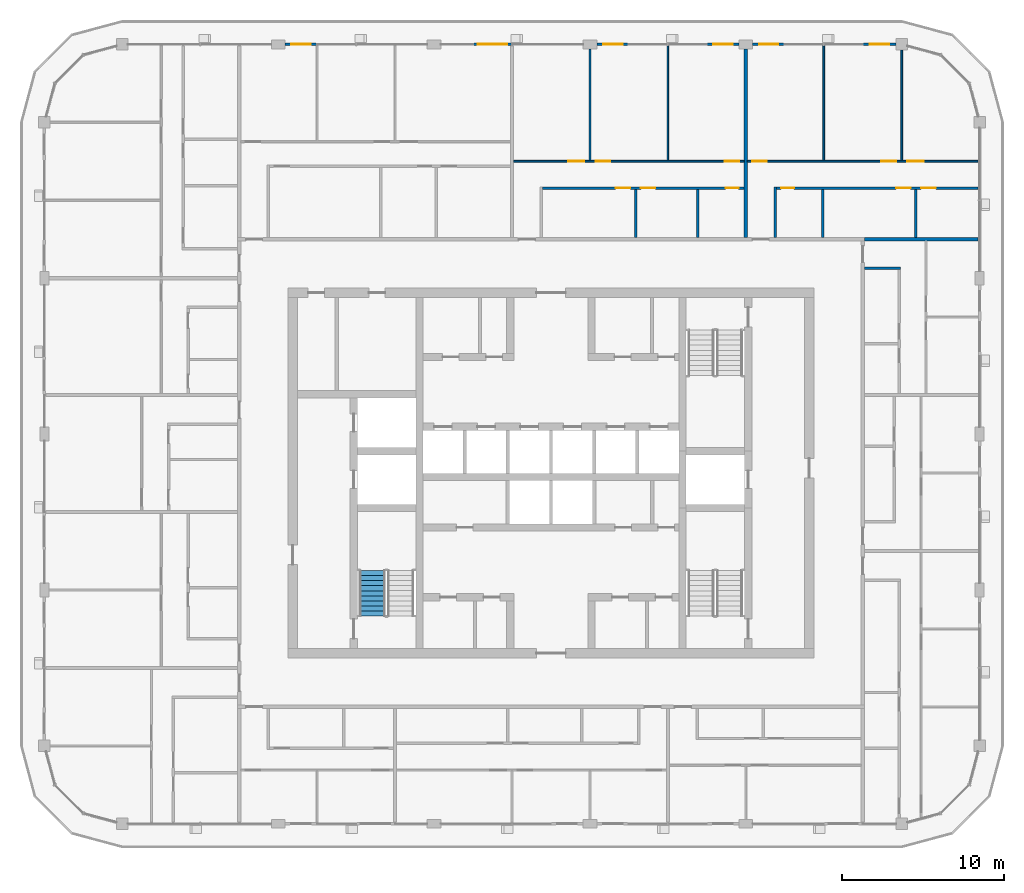
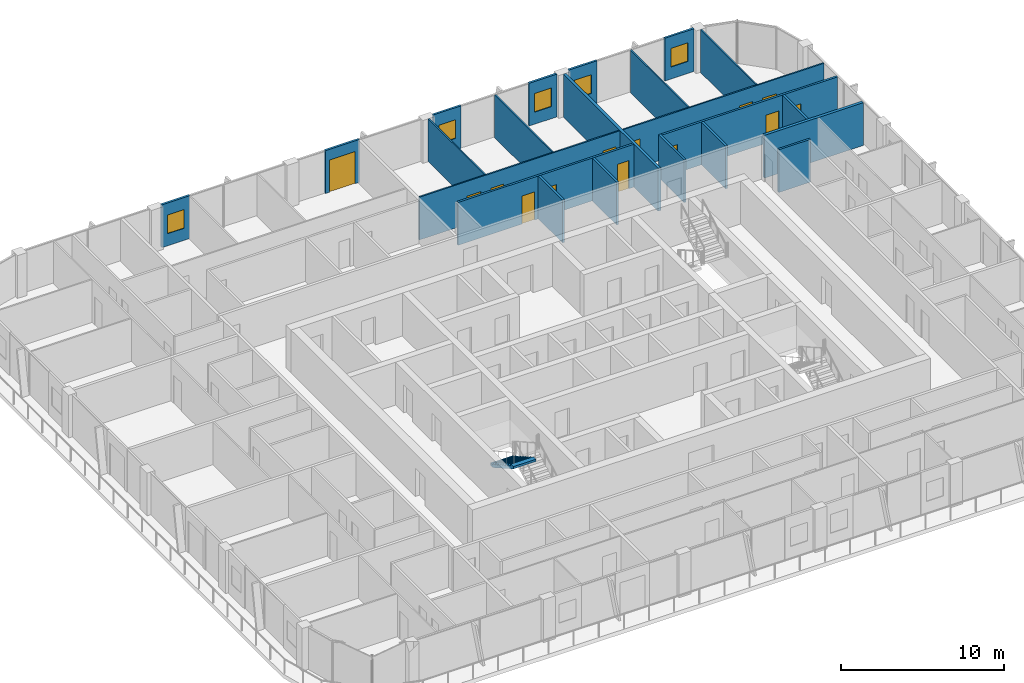
# One storey, part 15 of 22: 22 walls, 13 doors, 5 windows, 1 stair flight, 18 openings, 1 element without a shape of its own.
"""IFC4 building model written with IfcOpenShell, lengths in metres."""

from ifc_helpers import new_model, si_unit, direction, frame, frame_2d, origin, place, context, subcontext, project, spatial, polyline, rectangle, outline, extrude, material, layer, layer_set, type_object, element, fill, aggregate, save


model = new_model("IFC4")

# Units and contexts
model_context = context("Model", 3, precision=1e-05, world=origin(), true_north=direction((0.0, 1.0)))
body_context = subcontext(model_context, "Body", "Model", "MODEL_VIEW")
ifc_project = project(units=[si_unit("LENGTHUNIT", "METRE"), si_unit("AREAUNIT", "SQUARE_METRE"), si_unit("VOLUMEUNIT", "CUBIC_METRE"), si_unit("PLANEANGLEUNIT", "RADIAN"), si_unit("MASSUNIT", "GRAM", prefix="KILO")], contexts=[model_context])

# Site, building, storey
site_placement = place(None, origin())
site = spatial("IfcSite", under=ifc_project, at=site_placement, CompositionType="ELEMENT")
building_placement = place(site_placement, origin())
building = spatial("IfcBuilding", under=site, at=building_placement, Name="Madar Terraces", CompositionType="ELEMENT")
storey_placement = place(building_placement, frame((0.0, 0.0, 249.199951171875)))
storey = spatial("IfcBuildingStorey", under=building, at=storey_placement, Name="L65", CompositionType="ELEMENT", Elevation=249.199951171875)

# Wall, opening, window
ifc_material_1 = material(Name="Aluminium composite panel, black, over insulated backing", Category="aluminium")
ifc_layer_1 = layer(ifc_material_1, 0.14990234375)
ifc_layer_set_1 = layer_set([ifc_layer_1], Name="Facade bay panel 150")
wall_type_1 = type_object("IfcWallType", Name="Facade bay panel 150", PredefinedType="SOLIDWALL", material=ifc_layer_set_1)
wall_1_placement = place(storey_placement, frame((52.449951171875, 52.800048828125, 0.0), z_axis=(0.0, 0.0, 1.0), x_axis=(-1.0, 0.0, 0.0)))
wall_1 = element("IfcWall", 1, at=wall_1_placement, inside=storey, type_object=wall_type_1, Name="Facade bay panel", PredefinedType="SOLIDWALL", context=body_context, shape_type="SweptSolid", body=[
    extrude(rectangle(XDim=2.050048828125, YDim=0.14990234375, at=frame_2d((1.02490234375, 0.0))), origin(), (0.0, 0.0, 1.0), 3.199951171875),
])
opening_1_placement = place(wall_1_placement, frame((0.425048828125, 0.0, 0.89990234375)))
opening_1 = element("IfcOpeningElement", 2, at=opening_1_placement, cuts=wall_1, Name="Opening W1", PredefinedType="OPENING", context=body_context, shape_type="SweptSolid", body=[
    extrude(rectangle(XDim=1.199951171875, YDim=1.39990234375, at=frame_2d((0.60009765625, 0.699951171875))), frame((0.0, 0.0849609375, 0.0), z_axis=(0.0, -1.0, 0.0), x_axis=(1.0, 0.0, 0.0)), (0.0, 0.0, 1.0), 0.169921875),
])
ifc_material_2 = material(Name="Glass, clear, with black aluminium frame", Category="aluminium")
window_type = type_object("IfcWindowType", Name="Vent window 1200 x 1400", PartitioningType="SINGLE_PANEL", PredefinedType="WINDOW", material=ifc_material_2)
window_1_placement = place(opening_1_placement, origin())
window_1 = element("IfcWindow", 3, at=window_1_placement, inside=storey, type_object=window_type, Name="Operable vent window", OverallHeight=1.39990234375, OverallWidth=1.199951171875, PartitioningType="SINGLE_PANEL", PredefinedType="WINDOW", context=body_context, shape_type="SweptSolid", body=[
    extrude(rectangle(XDim=1.199951171875, YDim=1.39990234375, at=frame_2d((0.60009765625, 0.699951171875))), frame((0.0, 0.030029296875, 0.0), z_axis=(0.0, -1.0, 0.0), x_axis=(1.0, 0.0, 0.0)), (0.0, 0.0, 1.0), 0.06005859375),
])
fill(opening_1, window_1)

wall_2_placement = place(storey_placement, frame((45.60009765625, 52.800048828125, 0.0), z_axis=(0.0, 0.0, 1.0), x_axis=(-1.0, 0.0, 0.0)))
wall_2 = element("IfcWall", 4, at=wall_2_placement, inside=storey, type_object=wall_type_1, Name="Facade bay panel", PredefinedType="SOLIDWALL", context=body_context, shape_type="SweptSolid", body=[
    extrude(rectangle(XDim=1.97509765625, YDim=0.14990234375, at=frame_2d((0.987548828125, 0.0))), origin(), (0.0, 0.0, 1.0), 3.199951171875),
])
opening_2_placement = place(wall_2_placement, frame((0.387451171875, 0.0, 0.89990234375)))
opening_2 = element("IfcOpeningElement", 5, at=opening_2_placement, cuts=wall_2, Name="Opening W1", PredefinedType="OPENING", context=body_context, shape_type="SweptSolid", body=[
    extrude(rectangle(XDim=1.199951171875, YDim=1.39990234375, at=frame_2d((0.60009765625, 0.699951171875))), frame((0.0, 0.0849609375, 0.0), z_axis=(0.0, -1.0, 0.0), x_axis=(1.0, 0.0, 0.0)), (0.0, 0.0, 1.0), 0.169921875),
])
window_2_placement = place(opening_2_placement, origin())
window_2 = element("IfcWindow", 6, at=window_2_placement, inside=storey, type_object=window_type, Name="Operable vent window", OverallHeight=1.39990234375, OverallWidth=1.199951171875, PartitioningType="SINGLE_PANEL", PredefinedType="WINDOW", context=body_context, shape_type="SweptSolid", body=[
    extrude(rectangle(XDim=1.199951171875, YDim=1.39990234375, at=frame_2d((0.60009765625, 0.699951171875))), frame((0.0, 0.030029296875, 0.0), z_axis=(0.0, -1.0, 0.0), x_axis=(1.0, 0.0, 0.0)), (0.0, 0.0, 1.0), 0.06005859375),
])
fill(opening_2, window_2)

wall_3_placement = place(storey_placement, frame((42.77490234375, 52.800048828125, 0.0), z_axis=(0.0, 0.0, 1.0), x_axis=(-1.0, 0.0, 0.0)))
wall_3 = element("IfcWall", 7, at=wall_3_placement, inside=storey, type_object=wall_type_1, Name="Facade bay panel", PredefinedType="SOLIDWALL", context=body_context, shape_type="SweptSolid", body=[
    extrude(rectangle(XDim=1.974853515625, YDim=0.14990234375, at=frame_2d((0.9873046875, 0.0))), origin(), (0.0, 0.0, 1.0), 3.199951171875),
])
opening_3_placement = place(wall_3_placement, frame((0.387451171875, 0.0, 0.89990234375)))
opening_3 = element("IfcOpeningElement", 8, at=opening_3_placement, cuts=wall_3, Name="Opening W1", PredefinedType="OPENING", context=body_context, shape_type="SweptSolid", body=[
    extrude(rectangle(XDim=1.199951171875, YDim=1.39990234375, at=frame_2d((0.60009765625, 0.699951171875))), frame((0.0, 0.0849609375, 0.0), z_axis=(0.0, -1.0, 0.0), x_axis=(1.0, 0.0, 0.0)), (0.0, 0.0, 1.0), 0.169921875),
])
window_3_placement = place(opening_3_placement, origin())
window_3 = element("IfcWindow", 9, at=window_3_placement, inside=storey, type_object=window_type, Name="Operable vent window", OverallHeight=1.39990234375, OverallWidth=1.199951171875, PartitioningType="SINGLE_PANEL", PredefinedType="WINDOW", context=body_context, shape_type="SweptSolid", body=[
    extrude(rectangle(XDim=1.199951171875, YDim=1.39990234375, at=frame_2d((0.60009765625, 0.699951171875))), frame((0.0, 0.030029296875, 0.0), z_axis=(0.0, -1.0, 0.0), x_axis=(1.0, 0.0, 0.0)), (0.0, 0.0, 1.0), 0.06005859375),
])
fill(opening_3, window_3)

wall_4_placement = place(storey_placement, frame((36.0, 52.800048828125, 0.0), z_axis=(0.0, 0.0, 1.0), x_axis=(-1.0, 0.0, 0.0)))
wall_4 = element("IfcWall", 10, at=wall_4_placement, inside=storey, type_object=wall_type_1, Name="Facade bay panel", PredefinedType="SOLIDWALL", context=body_context, shape_type="SweptSolid", body=[
    extrude(rectangle(XDim=1.97509765625, YDim=0.14990234375, at=frame_2d((0.987548828125, 0.0))), origin(), (0.0, 0.0, 1.0), 3.199951171875),
])
opening_4_placement = place(wall_4_placement, frame((0.387451171875, 0.0, 0.89990234375)))
opening_4 = element("IfcOpeningElement", 11, at=opening_4_placement, cuts=wall_4, Name="Opening W1", PredefinedType="OPENING", context=body_context, shape_type="SweptSolid", body=[
    extrude(rectangle(XDim=1.199951171875, YDim=1.39990234375, at=frame_2d((0.60009765625, 0.699951171875))), frame((0.0, 0.0849609375, 0.0), z_axis=(0.0, -1.0, 0.0), x_axis=(1.0, 0.0, 0.0)), (0.0, 0.0, 1.0), 0.169921875),
])
window_4_placement = place(opening_4_placement, origin())
window_4 = element("IfcWindow", 12, at=window_4_placement, inside=storey, type_object=window_type, Name="Operable vent window", OverallHeight=1.39990234375, OverallWidth=1.199951171875, PartitioningType="SINGLE_PANEL", PredefinedType="WINDOW", context=body_context, shape_type="SweptSolid", body=[
    extrude(rectangle(XDim=1.199951171875, YDim=1.39990234375, at=frame_2d((0.60009765625, 0.699951171875))), frame((0.0, 0.030029296875, 0.0), z_axis=(0.0, -1.0, 0.0), x_axis=(1.0, 0.0, 0.0)), (0.0, 0.0, 1.0), 0.06005859375),
])
fill(opening_4, window_4)

# Wall, opening, door
wall_5_placement = place(storey_placement, frame((28.800048828125, 52.800048828125, 0.0), z_axis=(0.0, 0.0, 1.0), x_axis=(-1.0, 0.0, 0.0)))
wall_5 = element("IfcWall", 13, at=wall_5_placement, inside=storey, type_object=wall_type_1, Name="Facade bay panel", PredefinedType="SOLIDWALL", context=body_context, shape_type="SweptSolid", body=[
    extrude(rectangle(XDim=2.400146484375, YDim=0.14990234375, at=frame_2d((1.2001953125, 0.0))), origin(), (0.0, 0.0, 1.0), 3.199951171875),
])
opening_5_placement = place(wall_5_placement, frame((0.300048828125, 0.0, 0.0)))
opening_5 = element("IfcOpeningElement", 14, at=opening_5_placement, cuts=wall_5, Name="Opening ED1", PredefinedType="OPENING", context=body_context, shape_type="SweptSolid", body=[
    extrude(rectangle(XDim=1.800048828125, YDim=2.39990234375, at=frame_2d((0.89990234375, 1.199951171875))), frame((0.0, 0.0849609375, 0.0), z_axis=(0.0, -1.0, 0.0), x_axis=(1.0, 0.0, 0.0)), (0.0, 0.0, 1.0), 0.169921875),
])
ifc_material_3 = material(Name="Glass, clear, with black aluminium frame", Category="aluminium")
door_type_1 = type_object("IfcDoorType", Name="Balcony and terrace sliding door 1800 x 2400", OperationType="SLIDING_TO_LEFT", PredefinedType="DOOR", material=ifc_material_3)
door_1_placement = place(opening_5_placement, origin())
door_1 = element("IfcDoor", 15, at=door_1_placement, inside=storey, type_object=door_type_1, Name="Balcony door", OperationType="SLIDING_TO_LEFT", OverallHeight=2.39990234375, OverallWidth=1.800048828125, PredefinedType="DOOR", context=body_context, shape_type="SweptSolid", body=[
    extrude(rectangle(XDim=1.800048828125, YDim=2.39990234375, at=frame_2d((0.89990234375, 1.199951171875))), frame((0.0, 0.02490234375, 0.0), z_axis=(0.0, -1.0, 0.0), x_axis=(1.0, 0.0, 0.0)), (0.0, 0.0, 1.0), 0.050048828125),
])
fill(opening_5, door_1)

# Wall, opening, window
wall_6_placement = place(storey_placement, frame((16.800048828125, 52.800048828125, 0.0), z_axis=(0.0, 0.0, 1.0), x_axis=(-1.0, 0.0, 0.0)))
wall_6 = element("IfcWall", 16, at=wall_6_placement, inside=storey, type_object=wall_type_1, Name="Facade bay panel", PredefinedType="SOLIDWALL", context=body_context, shape_type="SweptSolid", body=[
    extrude(rectangle(XDim=1.97509765625, YDim=0.14990234375, at=frame_2d((0.987548828125, 0.0))), origin(), (0.0, 0.0, 1.0), 3.199951171875),
])
opening_6_placement = place(wall_6_placement, frame((0.387451171875, 0.0, 0.89990234375)))
opening_6 = element("IfcOpeningElement", 17, at=opening_6_placement, cuts=wall_6, Name="Opening W1", PredefinedType="OPENING", context=body_context, shape_type="SweptSolid", body=[
    extrude(rectangle(XDim=1.199951171875, YDim=1.39990234375, at=frame_2d((0.60009765625, 0.699951171875))), frame((0.0, 0.0849609375, 0.0), z_axis=(0.0, -1.0, 0.0), x_axis=(1.0, 0.0, 0.0)), (0.0, 0.0, 1.0), 0.169921875),
])
window_5_placement = place(opening_6_placement, origin())
window_5 = element("IfcWindow", 18, at=window_5_placement, inside=storey, type_object=window_type, Name="Operable vent window", OverallHeight=1.39990234375, OverallWidth=1.199951171875, PartitioningType="SINGLE_PANEL", PredefinedType="WINDOW", context=body_context, shape_type="SweptSolid", body=[
    extrude(rectangle(XDim=1.199951171875, YDim=1.39990234375, at=frame_2d((0.60009765625, 0.699951171875))), frame((0.0, 0.030029296875, 0.0), z_axis=(0.0, -1.0, 0.0), x_axis=(1.0, 0.0, 0.0)), (0.0, 0.0, 1.0), 0.06005859375),
])
fill(opening_6, window_5)

# Walls
ifc_material_4 = material(Name="Gypsum board on steel studs", Category="steel")
ifc_layer_2 = layer(ifc_material_4, 0.10009765625)
ifc_layer_set_2 = layer_set([ifc_layer_2], Name="Flat partition 100")
wall_type_2 = type_object("IfcWallType", Name="Flat partition 100", PredefinedType="PARTITIONING", material=ifc_layer_set_2)
wall_7_placement = place(storey_placement, frame((48.0, 45.64990234375, 0.0), z_axis=(0.0, 0.0, 1.0), x_axis=(0.0, 1.0, 0.0)))
element("IfcWall", 19, at=wall_7_placement, inside=storey, type_object=wall_type_2, Name="Flat partition 100", PredefinedType="PARTITIONING", context=body_context, shape_type="SweptSolid", body=[
    extrude(rectangle(XDim=7.050048828125, YDim=0.10009765625, at=frame_2d((3.52490234375, 0.0))), origin(), (0.0, 0.0, 1.0), 3.199951171875),
])
wall_8_placement = place(storey_placement, frame((52.800048828125, 45.64990234375, 0.0), z_axis=(0.0, 0.0, 1.0), x_axis=(0.0, 1.0, 0.0)))
element("IfcWall", 20, at=wall_8_placement, inside=storey, type_object=wall_type_2, Name="Flat partition 100", PredefinedType="PARTITIONING", context=body_context, shape_type="SweptSolid", body=[
    extrude(rectangle(XDim=6.800048828125, YDim=0.10009765625, at=frame_2d((3.39990234375, 0.0))), origin(), (0.0, 0.0, 1.0), 3.199951171875),
])

# Wall, openings, doors
wall_9_placement = place(storey_placement, frame((43.300048828125, 45.60009765625, 0.0), z_axis=(0.0, 0.0, 1.0), x_axis=(1.0, 0.0, 0.0)))
wall_9 = element("IfcWall", 21, at=wall_9_placement, inside=storey, type_object=wall_type_2, Name="Flat partition 100", PredefinedType="PARTITIONING", context=body_context, shape_type="SweptSolid", body=[
    extrude(rectangle(XDim=14.199951171875, YDim=0.10009765625, at=frame_2d((7.10009765625, 0.0))), origin(), (0.0, 0.0, 1.0), 3.199951171875),
])
opening_7_placement = place(wall_9_placement, frame((0.300048828125, 0.0, 0.0)))
opening_7 = element("IfcOpeningElement", 22, at=opening_7_placement, cuts=wall_9, Name="Opening D2", PredefinedType="OPENING", context=body_context, shape_type="SweptSolid", body=[
    extrude(rectangle(XDim=0.89990234375, YDim=2.10009765625, at=frame_2d((0.449951171875, 1.050048828125))), frame((0.0, 0.06005859375, 0.0), z_axis=(0.0, -1.0, 0.0), x_axis=(1.0, 0.0, 0.0)), (0.0, 0.0, 1.0), 0.1201171875),
])
opening_8_placement = place(wall_9_placement, frame((8.25, 0.0, 0.0)))
opening_8 = element("IfcOpeningElement", 23, at=opening_8_placement, cuts=wall_9, Name="Opening D2", PredefinedType="OPENING", context=body_context, shape_type="SweptSolid", body=[
    extrude(rectangle(XDim=0.89990234375, YDim=2.10009765625, at=frame_2d((0.449951171875, 1.050048828125))), frame((0.0, 0.06005859375, 0.0), z_axis=(0.0, -1.0, 0.0), x_axis=(1.0, 0.0, 0.0)), (0.0, 0.0, 1.0), 0.1201171875),
])
opening_9_placement = place(wall_9_placement, frame((9.85009765625, 0.0, 0.0)))
opening_9 = element("IfcOpeningElement", 24, at=opening_9_placement, cuts=wall_9, Name="Opening D3", PredefinedType="OPENING", context=body_context, shape_type="SweptSolid", body=[
    extrude(rectangle(XDim=1.0, YDim=2.10009765625, at=frame_2d((0.5, 1.050048828125))), frame((0.0, 0.06005859375, 0.0), z_axis=(0.0, -1.0, 0.0), x_axis=(1.0, 0.0, 0.0)), (0.0, 0.0, 1.0), 0.1201171875),
])
ifc_material_5 = material(Name="Timber door leaf", Category="wood")
door_type_2 = type_object("IfcDoorType", Name="Flat living room door 1000", OperationType="NOTDEFINED", PredefinedType="DOOR", material=ifc_material_5)
door_2_placement = place(opening_9_placement, origin())
door_2 = element("IfcDoor", 25, at=door_2_placement, inside=storey, type_object=door_type_2, Name="Flat living room door 1000", OperationType="SINGLE_SWING_LEFT", OverallHeight=2.10009765625, OverallWidth=1.0, PredefinedType="DOOR", context=body_context, shape_type="SweptSolid", body=[
    extrude(rectangle(XDim=1.0, YDim=2.10009765625, at=frame_2d((0.5, 1.050048828125))), frame((0.0, 0.02490234375, 0.0), z_axis=(0.0, -1.0, 0.0), x_axis=(1.0, 0.0, 0.0)), (0.0, 0.0, 1.0), 0.050048828125),
])
fill(opening_9, door_2)
ifc_material_6 = material(Name="Timber door leaf", Category="wood")
door_type_3 = type_object("IfcDoorType", Name="Flat room door 900", OperationType="NOTDEFINED", PredefinedType="DOOR", material=ifc_material_6)
door_3_placement = place(opening_7_placement, origin())
door_3 = element("IfcDoor", 26, at=door_3_placement, inside=storey, type_object=door_type_3, Name="Flat room door 900", OperationType="SINGLE_SWING_LEFT", OverallHeight=2.10009765625, OverallWidth=0.89990234375, PredefinedType="DOOR", context=body_context, shape_type="SweptSolid", body=[
    extrude(rectangle(XDim=0.89990234375, YDim=2.10009765625, at=frame_2d((0.449951171875, 1.050048828125))), frame((0.0, 0.02490234375, 0.0), z_axis=(0.0, -1.0, 0.0), x_axis=(1.0, 0.0, 0.0)), (0.0, 0.0, 1.0), 0.050048828125),
])
fill(opening_7, door_3)
door_4_placement = place(opening_8_placement, origin())
door_4 = element("IfcDoor", 27, at=door_4_placement, inside=storey, type_object=door_type_3, Name="Flat room door 900", OperationType="SINGLE_SWING_RIGHT", OverallHeight=2.10009765625, OverallWidth=0.89990234375, PredefinedType="DOOR", context=body_context, shape_type="SweptSolid", body=[
    extrude(rectangle(XDim=0.89990234375, YDim=2.10009765625, at=frame_2d((0.449951171875, 1.050048828125))), frame((0.0, 0.02490234375, 0.0), z_axis=(0.0, -1.0, 0.0), x_axis=(1.0, 0.0, 0.0)), (0.0, 0.0, 1.0), 0.050048828125),
])
fill(opening_8, door_4)

# Walls
wall_10_placement = place(storey_placement, frame((33.60009765625, 45.64990234375, 0.0), z_axis=(0.0, 0.0, 1.0), x_axis=(0.0, 1.0, 0.0)))
element("IfcWall", 28, at=wall_10_placement, inside=storey, type_object=wall_type_2, Name="Flat partition 100", PredefinedType="PARTITIONING", context=body_context, shape_type="SweptSolid", body=[
    extrude(rectangle(XDim=6.875, YDim=0.10009765625, at=frame_2d((3.4375, 0.0))), origin(), (0.0, 0.0, 1.0), 3.199951171875),
])
wall_11_placement = place(storey_placement, frame((38.39990234375, 45.64990234375, 0.0), z_axis=(0.0, 0.0, 1.0), x_axis=(0.0, 1.0, 0.0)))
element("IfcWall", 29, at=wall_11_placement, inside=storey, type_object=wall_type_2, Name="Flat partition 100", PredefinedType="PARTITIONING", context=body_context, shape_type="SweptSolid", body=[
    extrude(rectangle(XDim=7.050048828125, YDim=0.10009765625, at=frame_2d((3.52490234375, 0.0))), origin(), (0.0, 0.0, 1.0), 3.199951171875),
])

# Wall, openings, doors
wall_12_placement = place(storey_placement, frame((28.89990234375, 45.60009765625, 0.0), z_axis=(0.0, 0.0, 1.0), x_axis=(1.0, 0.0, 0.0)))
wall_12 = element("IfcWall", 30, at=wall_12_placement, inside=storey, type_object=wall_type_2, Name="Flat partition 100", PredefinedType="PARTITIONING", context=body_context, shape_type="SweptSolid", body=[
    extrude(rectangle(XDim=14.2001953125, YDim=0.10009765625, at=frame_2d((7.10009765625, 0.0))), origin(), (0.0, 0.0, 1.0), 3.199951171875),
])
opening_10_placement = place(wall_12_placement, frame((3.35009765625, 0.0, 0.0)))
opening_10 = element("IfcOpeningElement", 31, at=opening_10_placement, cuts=wall_12, Name="Opening D3", PredefinedType="OPENING", context=body_context, shape_type="SweptSolid", body=[
    extrude(rectangle(XDim=1.0, YDim=2.10009765625, at=frame_2d((0.5, 1.050048828125))), frame((0.0, 0.06005859375, 0.0), z_axis=(0.0, -1.0, 0.0), x_axis=(1.0, 0.0, 0.0)), (0.0, 0.0, 1.0), 0.1201171875),
])
opening_11_placement = place(wall_12_placement, frame((5.050048828125, 0.0, 0.0)))
opening_11 = element("IfcOpeningElement", 32, at=opening_11_placement, cuts=wall_12, Name="Opening D2", PredefinedType="OPENING", context=body_context, shape_type="SweptSolid", body=[
    extrude(rectangle(XDim=0.89990234375, YDim=2.10009765625, at=frame_2d((0.449951171875, 1.050048828125))), frame((0.0, 0.06005859375, 0.0), z_axis=(0.0, -1.0, 0.0), x_axis=(1.0, 0.0, 0.0)), (0.0, 0.0, 1.0), 0.1201171875),
])
opening_12_placement = place(wall_12_placement, frame((13.0, 0.0, 0.0)))
opening_12 = element("IfcOpeningElement", 33, at=opening_12_placement, cuts=wall_12, Name="Opening D2", PredefinedType="OPENING", context=body_context, shape_type="SweptSolid", body=[
    extrude(rectangle(XDim=0.89990234375, YDim=2.10009765625, at=frame_2d((0.449951171875, 1.050048828125))), frame((0.0, 0.06005859375, 0.0), z_axis=(0.0, -1.0, 0.0), x_axis=(1.0, 0.0, 0.0)), (0.0, 0.0, 1.0), 0.1201171875),
])
door_5_placement = place(opening_10_placement, origin())
door_5 = element("IfcDoor", 34, at=door_5_placement, inside=storey, type_object=door_type_2, Name="Flat living room door 1000", OperationType="SINGLE_SWING_RIGHT", OverallHeight=2.10009765625, OverallWidth=1.0, PredefinedType="DOOR", context=body_context, shape_type="SweptSolid", body=[
    extrude(rectangle(XDim=1.0, YDim=2.10009765625, at=frame_2d((0.5, 1.050048828125))), frame((0.0, 0.02490234375, 0.0), z_axis=(0.0, -1.0, 0.0), x_axis=(1.0, 0.0, 0.0)), (0.0, 0.0, 1.0), 0.050048828125),
])
fill(opening_10, door_5)
door_6_placement = place(opening_11_placement, origin())
door_6 = element("IfcDoor", 35, at=door_6_placement, inside=storey, type_object=door_type_3, Name="Flat room door 900", OperationType="SINGLE_SWING_LEFT", OverallHeight=2.10009765625, OverallWidth=0.89990234375, PredefinedType="DOOR", context=body_context, shape_type="SweptSolid", body=[
    extrude(rectangle(XDim=0.89990234375, YDim=2.10009765625, at=frame_2d((0.449951171875, 1.050048828125))), frame((0.0, 0.02490234375, 0.0), z_axis=(0.0, -1.0, 0.0), x_axis=(1.0, 0.0, 0.0)), (0.0, 0.0, 1.0), 0.050048828125),
])
fill(opening_11, door_6)
door_7_placement = place(opening_12_placement, origin())
door_7 = element("IfcDoor", 36, at=door_7_placement, inside=storey, type_object=door_type_3, Name="Flat room door 900", OperationType="SINGLE_SWING_RIGHT", OverallHeight=2.10009765625, OverallWidth=0.89990234375, PredefinedType="DOOR", context=body_context, shape_type="SweptSolid", body=[
    extrude(rectangle(XDim=0.89990234375, YDim=2.10009765625, at=frame_2d((0.449951171875, 1.050048828125))), frame((0.0, 0.02490234375, 0.0), z_axis=(0.0, -1.0, 0.0), x_axis=(1.0, 0.0, 0.0)), (0.0, 0.0, 1.0), 0.050048828125),
])
fill(opening_12, door_7)

# Walls
ifc_material_7 = material(Name="Lightweight blockwork", Category="masonry")
ifc_layer_3 = layer(ifc_material_7, 0.199951171875)
ifc_layer_set_3 = layer_set([ifc_layer_3], Name="Flat party and entrance wall 200")
wall_type_3 = type_object("IfcWallType", Name="Flat party and entrance wall 200", PredefinedType="PARTITIONING", material=ifc_layer_set_3)
wall_13_placement = place(storey_placement, frame((50.5, 40.800048828125, 0.0), z_axis=(0.0, 0.0, 1.0), x_axis=(1.0, 0.0, 0.0)))
element("IfcWall", 37, at=wall_13_placement, inside=storey, type_object=wall_type_3, Name="Flat party and entrance wall 200", PredefinedType="PARTITIONING", context=body_context, shape_type="SweptSolid", body=[
    extrude(rectangle(XDim=7.0, YDim=0.199951171875, at=frame_2d((3.5, 0.0))), origin(), (0.0, 0.0, 1.0), 3.199951171875),
])
wall_14_placement = place(storey_placement, frame((43.199951171875, 52.52490234375, 0.0), z_axis=(0.0, 0.0, 1.0), x_axis=(0.0, -1.0, 0.0)))
element("IfcWall", 38, at=wall_14_placement, inside=storey, type_object=wall_type_3, Name="Flat party and entrance wall 200", PredefinedType="PARTITIONING", context=body_context, shape_type="SweptSolid", body=[
    extrude(rectangle(XDim=11.625, YDim=0.199951171875, at=frame_2d((5.8125, 0.0))), origin(), (0.0, 0.0, 1.0), 3.199951171875),
])
ifc_material_8 = material(Name="Lightweight blockwork", Category="masonry")
ifc_layer_4 = layer(ifc_material_8, 0.14990234375)
ifc_layer_set_4 = layer_set([ifc_layer_4], Name="Flat wet-room partition 150")
wall_type_4 = type_object("IfcWallType", Name="Flat wet-room partition 150", PredefinedType="PARTITIONING", material=ifc_layer_set_4)
wall_15_placement = place(storey_placement, frame((50.5, 39.0, 0.0), z_axis=(0.0, 0.0, 1.0), x_axis=(1.0, 0.0, 0.0)))
element("IfcWall", 39, at=wall_15_placement, inside=storey, type_object=wall_type_4, Name="Flat wet-room partition 150", PredefinedType="PARTITIONING", context=body_context, shape_type="SweptSolid", body=[
    extrude(rectangle(XDim=2.22509765625, YDim=0.14990234375, at=frame_2d((1.112548828125, 0.0))), origin(), (0.0, 0.0, 1.0), 3.199951171875),
])
for number, where, z_axis, x_axis, name in (
    (40, (47.9423828125, 40.89990234375, 0.0), (0.0, 0.0, 1.0), (0.0, 1.0, 0.0), "Flat wet-room partition 150"),
    (41, (53.677001953125, 40.89990234375, 0.0), (0.0, 0.0, 1.0), (0.0, 1.0, 0.0), "Flat wet-room partition 150"),
):
    element("IfcWall", number, at=place(storey_placement, frame(where, z_axis=z_axis, x_axis=x_axis)), inside=storey, type_object=wall_type_4, Name=name, PredefinedType="PARTITIONING", context=body_context, shape_type="SweptSolid", body=[
        extrude(rectangle(XDim=2.97509765625, YDim=0.14990234375, at=frame_2d((1.487548828125, 0.0))), origin(), (0.0, 0.0, 1.0), 3.199951171875),
    ])
wall_16_placement = place(storey_placement, frame((45.0, 40.89990234375, 0.0), z_axis=(0.0, 0.0, 1.0), x_axis=(0.0, 1.0, 0.0)))
element("IfcWall", 42, at=wall_16_placement, inside=storey, type_object=wall_type_4, Name="Flat wet-room partition 150", PredefinedType="PARTITIONING", context=body_context, shape_type="SweptSolid", body=[
    extrude(rectangle(XDim=3.125, YDim=0.14990234375, at=frame_2d((1.5625, 0.0))), origin(), (0.0, 0.0, 1.0), 3.199951171875),
])

# Wall, openings, doors
wall_17_placement = place(storey_placement, frame((57.5, 43.949951171875, 0.0), z_axis=(0.0, 0.0, 1.0), x_axis=(-1.0, 0.0, 0.0)))
wall_17 = element("IfcWall", 43, at=wall_17_placement, inside=storey, type_object=wall_type_4, Name="Flat wet-room partition 150", PredefinedType="PARTITIONING", context=body_context, shape_type="SweptSolid", body=[
    extrude(rectangle(XDim=12.425048828125, YDim=0.14990234375, at=frame_2d((6.21240234375, 0.0))), origin(), (0.0, 0.0, 1.0), 3.199951171875),
])
opening_13_placement = place(wall_17_placement, frame((11.324951171875, 0.0, 0.0)))
opening_13 = element("IfcOpeningElement", 44, at=opening_13_placement, cuts=wall_17, Name="Opening D4", PredefinedType="OPENING", context=body_context, shape_type="SweptSolid", body=[
    extrude(rectangle(XDim=0.800048828125, YDim=2.10009765625, at=frame_2d((0.39990234375, 1.050048828125))), frame((0.0, 0.0849609375, 0.0), z_axis=(0.0, -1.0, 0.0), x_axis=(1.0, 0.0, 0.0)), (0.0, 0.0, 1.0), 0.169921875),
])
opening_14_placement = place(wall_17_placement, frame((4.148193359375, 0.0, 0.0)))
opening_14 = element("IfcOpeningElement", 45, at=opening_14_placement, cuts=wall_17, Name="Opening D2", PredefinedType="OPENING", context=body_context, shape_type="SweptSolid", body=[
    extrude(rectangle(XDim=0.89990234375, YDim=2.10009765625, at=frame_2d((0.449951171875, 1.050048828125))), frame((0.0, 0.0849609375, 0.0), z_axis=(0.0, -1.0, 0.0), x_axis=(1.0, 0.0, 0.0)), (0.0, 0.0, 1.0), 0.169921875),
])
opening_15_placement = place(wall_17_placement, frame((2.59814453125, 0.0, 0.0)))
opening_15 = element("IfcOpeningElement", 46, at=opening_15_placement, cuts=wall_17, Name="Opening D5", PredefinedType="OPENING", context=body_context, shape_type="SweptSolid", body=[
    extrude(rectangle(XDim=0.89990234375, YDim=2.10009765625, at=frame_2d((0.449951171875, 1.050048828125))), frame((0.0, 0.0849609375, 0.0), z_axis=(0.0, -1.0, 0.0), x_axis=(1.0, 0.0, 0.0)), (0.0, 0.0, 1.0), 0.169921875),
])
ifc_material_9 = material(Name="Timber door leaf", Category="wood")
door_type_4 = type_object("IfcDoorType", Name="Flat accessible bathroom door 900", OperationType="NOTDEFINED", PredefinedType="DOOR", material=ifc_material_9)
door_8_placement = place(opening_15_placement, origin())
door_8 = element("IfcDoor", 47, at=door_8_placement, inside=storey, type_object=door_type_4, Name="Flat accessible bathroom door 900", OperationType="SINGLE_SWING_RIGHT", OverallHeight=2.10009765625, OverallWidth=0.89990234375, PredefinedType="DOOR", context=body_context, shape_type="SweptSolid", body=[
    extrude(rectangle(XDim=0.89990234375, YDim=2.10009765625, at=frame_2d((0.449951171875, 1.050048828125))), frame((0.0, 0.02490234375, 0.0), z_axis=(0.0, -1.0, 0.0), x_axis=(1.0, 0.0, 0.0)), (0.0, 0.0, 1.0), 0.050048828125),
])
fill(opening_15, door_8)
ifc_material_10 = material(Name="Timber door leaf", Category="wood")
door_type_5 = type_object("IfcDoorType", Name="Flat bathroom door 800", OperationType="NOTDEFINED", PredefinedType="DOOR", material=ifc_material_10)
door_9_placement = place(opening_13_placement, origin())
door_9 = element("IfcDoor", 48, at=door_9_placement, inside=storey, type_object=door_type_5, Name="Flat bathroom door 800", OperationType="SINGLE_SWING_RIGHT", OverallHeight=2.10009765625, OverallWidth=0.800048828125, PredefinedType="DOOR", context=body_context, shape_type="SweptSolid", body=[
    extrude(rectangle(XDim=0.800048828125, YDim=2.10009765625, at=frame_2d((0.39990234375, 1.050048828125))), frame((0.0, 0.02490234375, 0.0), z_axis=(0.0, -1.0, 0.0), x_axis=(1.0, 0.0, 0.0)), (0.0, 0.0, 1.0), 0.050048828125),
])
fill(opening_13, door_9)
door_10_placement = place(opening_14_placement, origin())
door_10 = element("IfcDoor", 49, at=door_10_placement, inside=storey, type_object=door_type_3, Name="Flat room door 900", OperationType="SINGLE_SWING_LEFT", OverallHeight=2.10009765625, OverallWidth=0.89990234375, PredefinedType="DOOR", context=body_context, shape_type="SweptSolid", body=[
    extrude(rectangle(XDim=0.89990234375, YDim=2.10009765625, at=frame_2d((0.449951171875, 1.050048828125))), frame((0.0, 0.02490234375, 0.0), z_axis=(0.0, -1.0, 0.0), x_axis=(1.0, 0.0, 0.0)), (0.0, 0.0, 1.0), 0.050048828125),
])
fill(opening_14, door_10)

# Walls
for number, where, z_axis, x_axis, name in (
    (50, (36.40966796875, 40.89990234375, 0.0), (0.0, 0.0, 1.0), (0.0, 1.0, 0.0), "Flat wet-room partition 150"),
    (51, (40.232666015625, 40.89990234375, 0.0), (0.0, 0.0, 1.0), (0.0, 1.0, 0.0), "Flat wet-room partition 150"),
):
    element("IfcWall", number, at=place(storey_placement, frame(where, z_axis=z_axis, x_axis=x_axis)), inside=storey, type_object=wall_type_4, Name=name, PredefinedType="PARTITIONING", context=body_context, shape_type="SweptSolid", body=[
        extrude(rectangle(XDim=2.97509765625, YDim=0.14990234375, at=frame_2d((1.487548828125, 0.0))), origin(), (0.0, 0.0, 1.0), 3.199951171875),
    ])

# Wall, openings, doors
wall_18_placement = place(storey_placement, frame((43.10009765625, 43.949951171875, 0.0), z_axis=(0.0, 0.0, 1.0), x_axis=(-1.0, 0.0, 0.0)))
wall_18 = element("IfcWall", 52, at=wall_18_placement, inside=storey, type_object=wall_type_4, Name="Flat wet-room partition 150", PredefinedType="PARTITIONING", context=body_context, shape_type="SweptSolid", body=[
    extrude(rectangle(XDim=12.425048828125, YDim=0.14990234375, at=frame_2d((6.21240234375, 0.0))), origin(), (0.0, 0.0, 1.0), 3.199951171875),
])
opening_16_placement = place(wall_18_placement, frame((7.015380859375, 0.0, 0.0)))
opening_16 = element("IfcOpeningElement", 53, at=opening_16_placement, cuts=wall_18, Name="Opening D2", PredefinedType="OPENING", context=body_context, shape_type="SweptSolid", body=[
    extrude(rectangle(XDim=0.89990234375, YDim=2.10009765625, at=frame_2d((0.449951171875, 1.050048828125))), frame((0.0, 0.0849609375, 0.0), z_axis=(0.0, -1.0, 0.0), x_axis=(1.0, 0.0, 0.0)), (0.0, 0.0, 1.0), 0.169921875),
])
opening_17_placement = place(wall_18_placement, frame((5.46533203125, 0.0, 0.0)))
opening_17 = element("IfcOpeningElement", 54, at=opening_17_placement, cuts=wall_18, Name="Opening D5", PredefinedType="OPENING", context=body_context, shape_type="SweptSolid", body=[
    extrude(rectangle(XDim=0.89990234375, YDim=2.10009765625, at=frame_2d((0.449951171875, 1.050048828125))), frame((0.0, 0.0849609375, 0.0), z_axis=(0.0, -1.0, 0.0), x_axis=(1.0, 0.0, 0.0)), (0.0, 0.0, 1.0), 0.169921875),
])
opening_18_placement = place(wall_18_placement, frame((0.35009765625, 0.0, 0.0)))
opening_18 = element("IfcOpeningElement", 55, at=opening_18_placement, cuts=wall_18, Name="Opening D4", PredefinedType="OPENING", context=body_context, shape_type="SweptSolid", body=[
    extrude(rectangle(XDim=0.800048828125, YDim=2.10009765625, at=frame_2d((0.39990234375, 1.050048828125))), frame((0.0, 0.0849609375, 0.0), z_axis=(0.0, -1.0, 0.0), x_axis=(1.0, 0.0, 0.0)), (0.0, 0.0, 1.0), 0.169921875),
])
door_11_placement = place(opening_17_placement, origin())
door_11 = element("IfcDoor", 56, at=door_11_placement, inside=storey, type_object=door_type_4, Name="Flat accessible bathroom door 900", OperationType="SINGLE_SWING_RIGHT", OverallHeight=2.10009765625, OverallWidth=0.89990234375, PredefinedType="DOOR", context=body_context, shape_type="SweptSolid", body=[
    extrude(rectangle(XDim=0.89990234375, YDim=2.10009765625, at=frame_2d((0.449951171875, 1.050048828125))), frame((0.0, 0.02490234375, 0.0), z_axis=(0.0, -1.0, 0.0), x_axis=(1.0, 0.0, 0.0)), (0.0, 0.0, 1.0), 0.050048828125),
])
fill(opening_17, door_11)
door_12_placement = place(opening_18_placement, origin())
door_12 = element("IfcDoor", 57, at=door_12_placement, inside=storey, type_object=door_type_5, Name="Flat bathroom door 800", OperationType="SINGLE_SWING_LEFT", OverallHeight=2.10009765625, OverallWidth=0.800048828125, PredefinedType="DOOR", context=body_context, shape_type="SweptSolid", body=[
    extrude(rectangle(XDim=0.800048828125, YDim=2.10009765625, at=frame_2d((0.39990234375, 1.050048828125))), frame((0.0, 0.02490234375, 0.0), z_axis=(0.0, -1.0, 0.0), x_axis=(1.0, 0.0, 0.0)), (0.0, 0.0, 1.0), 0.050048828125),
])
fill(opening_18, door_12)
door_13_placement = place(opening_16_placement, origin())
door_13 = element("IfcDoor", 58, at=door_13_placement, inside=storey, type_object=door_type_3, Name="Flat room door 900", OperationType="SINGLE_SWING_LEFT", OverallHeight=2.10009765625, OverallWidth=0.89990234375, PredefinedType="DOOR", context=body_context, shape_type="SweptSolid", body=[
    extrude(rectangle(XDim=0.89990234375, YDim=2.10009765625, at=frame_2d((0.449951171875, 1.050048828125))), frame((0.0, 0.02490234375, 0.0), z_axis=(0.0, -1.0, 0.0), x_axis=(1.0, 0.0, 0.0)), (0.0, 0.0, 1.0), 0.050048828125),
])
fill(opening_16, door_13)

# Stair, stair flight
ifc_material_11 = material(Name="Concrete C50/60", Category="concrete")
stair_type = type_object("IfcStairType", Name="Stair ST1 protected exit", PredefinedType="HALF_TURN_STAIR", material=ifc_material_11)
stair_placement = place(storey_placement, origin())
stair = element("IfcStair", 59, at=stair_placement, inside=storey, type_object=stair_type, Name="L65 Protected Exit Stair ST1", PredefinedType="HALF_TURN_STAIR")
ifc_material_12 = material(Name="Concrete C50/60", Category="concrete")
stair_flight_type = type_object("IfcStairFlightType", Name="Stair flight ST1-F4, 1600 wide, 10 risers", PredefinedType="STRAIGHT", material=ifc_material_12)
stair_flight_placement = place(storey_placement, frame((20.199951171875, 20.389892578125, 1.75), z_axis=(0.0, 0.0, 1.0), x_axis=(0.0, -1.0, 0.0)))
stair_flight = element("IfcStairFlight", 60, at=stair_flight_placement, type_object=stair_flight_type, Name="ST1 flight 2", NumberOfRisers=10, NumberOfTreads=9, PredefinedType="STRAIGHT", RiserHeight=0.175, TreadLength=0.31, context=body_context, shape_type="SweptSolid", body=[
    extrude(outline(polyline([(0.0, 0.0), (0.0, 0.175048828125), (0.31005859375, 0.175048828125), (0.31005859375, 0.35009765625), (0.6201171875, 0.35009765625), (0.6201171875, 0.52490234375), (0.929931640625, 0.52490234375), (0.929931640625, 0.699951171875), (1.239990234375, 0.699951171875), (1.239990234375, 0.875), (1.550048828125, 0.875), (1.550048828125, 1.050048828125), (1.860107421875, 1.050048828125), (1.860107421875, 1.22509765625), (2.169921875, 1.22509765625), (2.169921875, 1.39990234375), (2.47998046875, 1.39990234375), (2.47998046875, 1.574951171875), (2.7900390625, 1.574951171875), (2.7900390625, 1.75), (2.7900390625, 1.40283203125), (0.304931640625, 0.0), (0.0, 0.0)])), frame((0.0, 0.800048828125, 0.0), z_axis=(0.0, -1.0, 0.0), x_axis=(1.0, 0.0, 0.0)), (0.0, 0.0, 1.0), 1.60009765625),
])
aggregate(stair, [stair_flight])

save(model, "model.ifc")
